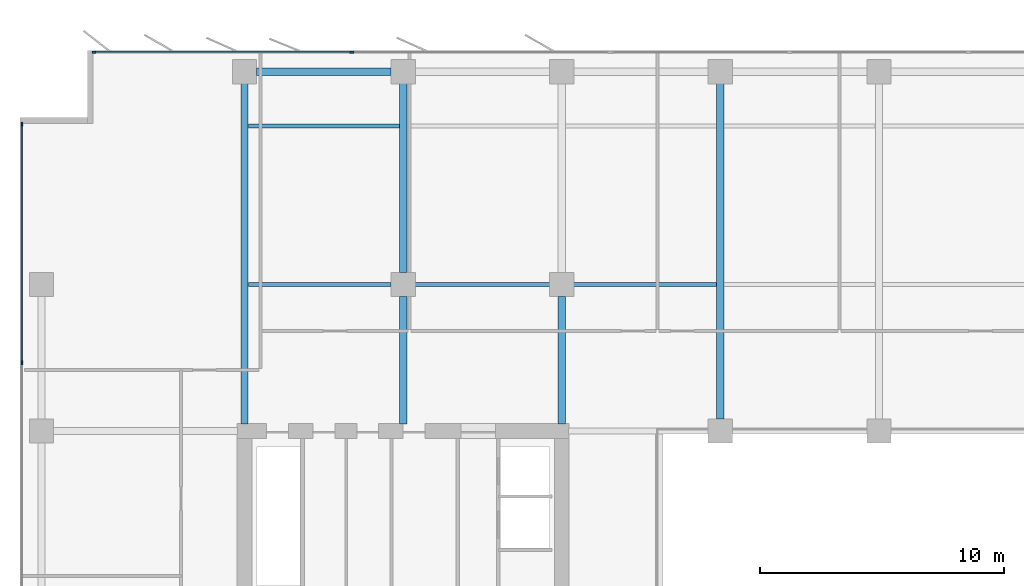
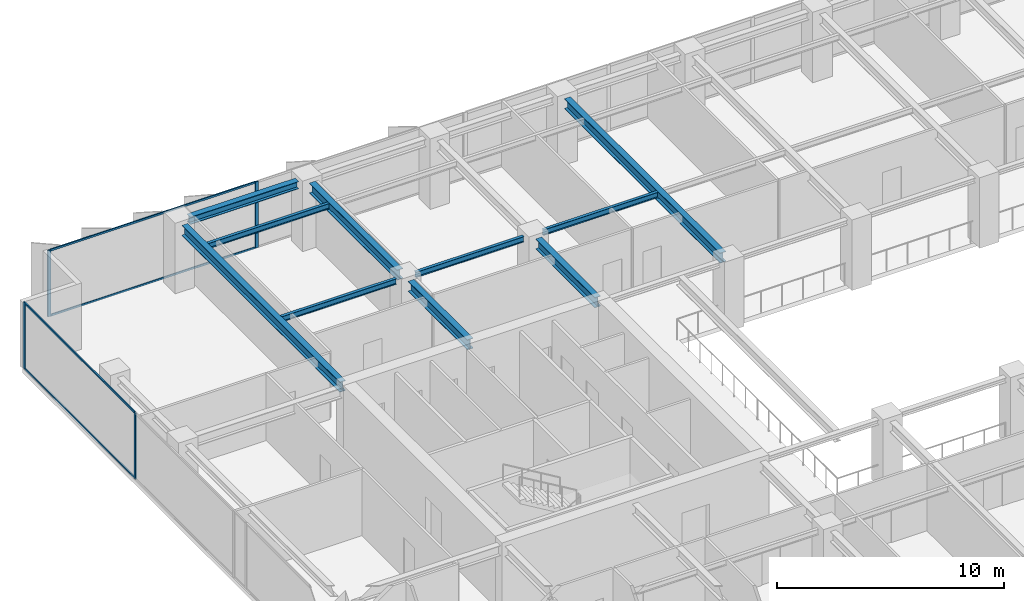
# One storey, part 8 of 22: 10 beams, 8 members, 2 elements without a shape of their own.
"""IFC4 building model written with IfcOpenShell, lengths in metres."""

from ifc_helpers import new_model, si_unit, direction, frame, origin, origin_2d, place, context, subcontext, project, spatial, rectangle, i_section, extrude, material, layer, layer_set, material_profile, profile_set, type_object, element, aggregate, save


model = new_model("IFC4")

# Units and contexts
model_context = context("Model", 3, precision=1e-05, world=origin(), true_north=direction((0.0, 1.0)))
body_context = subcontext(model_context, "Body", "Model", "MODEL_VIEW")
ifc_project = project(units=[si_unit("LENGTHUNIT", "METRE"), si_unit("AREAUNIT", "SQUARE_METRE"), si_unit("VOLUMEUNIT", "CUBIC_METRE"), si_unit("PLANEANGLEUNIT", "RADIAN"), si_unit("MASSUNIT", "GRAM", prefix="KILO")], contexts=[model_context])

# Site, building, storey
site_placement = place(None, origin())
site = spatial("IfcSite", under=ifc_project, at=site_placement, CompositionType="ELEMENT")
building_placement = place(site_placement, origin())
building = spatial("IfcBuilding", under=site, at=building_placement, Name="Putna Gate Headquarters", CompositionType="ELEMENT")
storey_placement = place(building_placement, frame((0.0, 0.0, 178.39990234375)))
storey = spatial("IfcBuildingStorey", under=building, at=storey_placement, Name="L44", CompositionType="ELEMENT", Elevation=178.39990234375)

# Beams
ifc_material_1 = material(Name="Steel S355J2", Category="steel")
ifc_material_profile_1 = material_profile(ifc_material_1, i_section(OverallWidth=0.300048828125, OverallDepth=0.550048828125, WebThickness=0.014892578125, FlangeThickness=0.029052734375, at=origin_2d()), Name="Steel S355J2")
ifc_profile_set_1 = profile_set([ifc_material_profile_1], Name="Steel S355J2")
beam_type_1 = type_object("IfcBeamType", Name="BM-GIRD-Z3-HEB550", PredefinedType="USERDEFINED", material=ifc_profile_set_1)
beam_1_placement = place(storey_placement, frame((13.0, 33.284912109375, 3.297119140625), z_axis=(0.0, 1.0, 0.0), x_axis=(-1.0, 0.0, 0.0)))
element("IfcBeam", 1, at=beam_1_placement, inside=storey, type_object=beam_type_1, Name="L44 North Primary Girder X13", ObjectType="GIRDER", PredefinedType="USERDEFINED", context=body_context, shape_type="SweptSolid", body=[
    extrude(i_section(OverallWidth=0.300048828125, OverallDepth=0.550048828125, WebThickness=0.014892578125, FlangeThickness=0.029052734375, at=origin_2d()), origin(), (0.0, 0.0, 1.0), 13.947021484375),
])
beam_2_placement = place(storey_placement, frame((19.5, 33.284912109375, 3.297119140625), z_axis=(0.0, 1.0, 0.0), x_axis=(-1.0, 0.0, 0.0)))
element("IfcBeam", 2, at=beam_2_placement, inside=storey, type_object=beam_type_1, Name="L44 North Primary Girder X19-1", ObjectType="GIRDER", PredefinedType="USERDEFINED", context=body_context, shape_type="SweptSolid", body=[
    extrude(i_section(OverallWidth=0.300048828125, OverallDepth=0.550048828125, WebThickness=0.014892578125, FlangeThickness=0.029052734375, at=origin_2d()), origin(), (0.0, 0.0, 1.0), 5.22705078125),
])
beam_3_placement = place(storey_placement, frame((19.5, 39.488037109375, 3.297119140625), z_axis=(0.0, 1.0, 0.0), x_axis=(-1.0, 0.0, 0.0)))
element("IfcBeam", 3, at=beam_3_placement, inside=storey, type_object=beam_type_1, Name="L44 North Primary Girder X19-2", ObjectType="GIRDER", PredefinedType="USERDEFINED", context=body_context, shape_type="SweptSolid", body=[
    extrude(i_section(OverallWidth=0.300048828125, OverallDepth=0.550048828125, WebThickness=0.014892578125, FlangeThickness=0.029052734375, at=origin_2d()), origin(), (0.0, 0.0, 1.0), 7.743896484375),
])
beam_4_placement = place(storey_placement, frame((26.0, 33.284912109375, 3.297119140625), z_axis=(0.0, 1.0, 0.0), x_axis=(-1.0, 0.0, 0.0)))
element("IfcBeam", 4, at=beam_4_placement, inside=storey, type_object=beam_type_1, Name="L44 North Primary Girder X26-1", ObjectType="GIRDER", PredefinedType="USERDEFINED", context=body_context, shape_type="SweptSolid", body=[
    extrude(i_section(OverallWidth=0.300048828125, OverallDepth=0.550048828125, WebThickness=0.014892578125, FlangeThickness=0.029052734375, at=origin_2d()), origin(), (0.0, 0.0, 1.0), 5.22705078125),
])
beam_5_placement = place(storey_placement, frame((32.5, 33.488037109375, 3.297119140625), z_axis=(0.0, 1.0, 0.0), x_axis=(-1.0, 0.0, 0.0)))
element("IfcBeam", 5, at=beam_5_placement, inside=storey, type_object=beam_type_1, Name="L44 North Primary Girder X32", ObjectType="GIRDER", PredefinedType="USERDEFINED", context=body_context, shape_type="SweptSolid", body=[
    extrude(i_section(OverallWidth=0.300048828125, OverallDepth=0.550048828125, WebThickness=0.014892578125, FlangeThickness=0.029052734375, at=origin_2d()), origin(), (0.0, 0.0, 1.0), 13.743896484375),
])
ifc_material_profile_2 = material_profile(ifc_material_1, i_section(OverallWidth=0.14990234375, OverallDepth=0.300048828125, WebThickness=0.007080078125, FlangeThickness=0.0107421875, at=origin_2d()), Name="Steel S355J2")
ifc_profile_set_2 = profile_set([ifc_material_profile_2], Name="Steel S355J2")
beam_type_2 = type_object("IfcBeamType", Name="BM-SEC-Z3-IPE300", PredefinedType="JOIST", material=ifc_profile_set_2)
beam_6_placement = place(storey_placement, frame((13.154052734375, 39.0, 3.422119140625), z_axis=(1.0, 0.0, 0.0), x_axis=(0.0, 1.0, 0.0)))
element("IfcBeam", 6, at=beam_6_placement, inside=storey, type_object=beam_type_2, Name="L44 North Secondary Beam 1", PredefinedType="JOIST", context=body_context, shape_type="SweptSolid", body=[
    extrude(i_section(OverallWidth=0.14990234375, OverallDepth=0.300048828125, WebThickness=0.007080078125, FlangeThickness=0.0107421875, at=origin_2d()), origin(), (0.0, 0.0, 1.0), 5.85791015625),
])
beam_7_placement = place(storey_placement, frame((13.154052734375, 45.5, 3.422119140625), z_axis=(1.0, 0.0, 0.0), x_axis=(0.0, 1.0, 0.0)))
element("IfcBeam", 7, at=beam_7_placement, inside=storey, type_object=beam_type_2, Name="L44 North Secondary Beam 1", PredefinedType="JOIST", context=body_context, shape_type="SweptSolid", body=[
    extrude(i_section(OverallWidth=0.14990234375, OverallDepth=0.300048828125, WebThickness=0.007080078125, FlangeThickness=0.0107421875, at=origin_2d()), origin(), (0.0, 0.0, 1.0), 6.19189453125),
])
beam_8_placement = place(storey_placement, frame((19.988037109375, 39.0, 3.422119140625), z_axis=(1.0, 0.0, 0.0), x_axis=(0.0, 1.0, 0.0)))
element("IfcBeam", 8, at=beam_8_placement, inside=storey, type_object=beam_type_2, Name="L44 North Secondary Beam 2", PredefinedType="JOIST", context=body_context, shape_type="SweptSolid", body=[
    extrude(i_section(OverallWidth=0.14990234375, OverallDepth=0.300048828125, WebThickness=0.007080078125, FlangeThickness=0.0107421875, at=origin_2d()), origin(), (0.0, 0.0, 1.0), 5.52392578125),
])
beam_9_placement = place(storey_placement, frame((26.488037109375, 39.0, 3.422119140625), z_axis=(1.0, 0.0, 0.0), x_axis=(0.0, 1.0, 0.0)))
element("IfcBeam", 9, at=beam_9_placement, inside=storey, type_object=beam_type_2, Name="L44 North Secondary Beam 3", PredefinedType="JOIST", context=body_context, shape_type="SweptSolid", body=[
    extrude(i_section(OverallWidth=0.14990234375, OverallDepth=0.300048828125, WebThickness=0.007080078125, FlangeThickness=0.0107421875, at=origin_2d()), origin(), (0.0, 0.0, 1.0), 5.85791015625),
])
ifc_material_profile_3 = material_profile(ifc_material_1, i_section(OverallWidth=0.300048828125, OverallDepth=0.39990234375, WebThickness=0.013427734375, FlangeThickness=0.02392578125, at=origin_2d()), Name="Steel S355J2")
ifc_profile_set_3 = profile_set([ifc_material_profile_3], Name="Steel S355J2")
beam_type_3 = type_object("IfcBeamType", Name="BM-SPAN-Z3-HEB400", PredefinedType="SPANDREL", material=ifc_profile_set_3)
beam_10_placement = place(storey_placement, frame((13.488037109375, 47.719970703125, 3.3720703125), z_axis=(1.0, 0.0, 0.0), x_axis=(0.0, 1.0, 0.0)))
element("IfcBeam", 10, at=beam_10_placement, inside=storey, type_object=beam_type_3, Name="L44 N Perimeter Spandrel 1", PredefinedType="SPANDREL", context=body_context, shape_type="SweptSolid", body=[
    extrude(i_section(OverallWidth=0.300048828125, OverallDepth=0.39990234375, WebThickness=0.013427734375, FlangeThickness=0.02392578125, at=origin_2d()), origin(), (0.0, 0.0, 1.0), 5.52392578125),
])

# Curtain wall, members
ifc_material_2 = material(Name="Anodised bronze aluminium curtain wall", Category="aluminium")
ifc_layer = layer(ifc_material_2, 0.159912109375)
ifc_layer_set = layer_set([ifc_layer], Name="Anodised bronze aluminium curtain wall")
curtain_wall_type = type_object("IfcCurtainWallType", Name="CW-SYS-Z3", PredefinedType="USERDEFINED", material=ifc_layer_set)
curtain_wall_1_placement = place(storey_placement, origin())
curtain_wall_1 = element("IfcCurtainWall", 11, at=curtain_wall_1_placement, inside=storey, type_object=curtain_wall_type, Name="L44 North West Curtain Wall", ObjectType="STICK CURTAIN WALL", PredefinedType="USERDEFINED")
ifc_material_3 = material(Name="Anodised bronze aluminium EN AW-6060", Category="aluminium")
ifc_material_profile_4 = material_profile(ifc_material_3, rectangle(XDim=0.06494140625, YDim=0.159912109375, at=origin_2d()), Name="Anodised bronze aluminium EN AW-6060")
ifc_profile_set_4 = profile_set([ifc_material_profile_4], Name="Anodised bronze aluminium EN AW-6060")
member_type_1 = type_object("IfcMemberType", Name="MULL-CWM-3", PredefinedType="MULLION", material=ifc_profile_set_4)
member_1_placement = place(storey_placement, frame((6.83251953125, 48.52001953125, 0.0), z_axis=(0.0, 0.0, 1.0), x_axis=(0.0, 1.0, 0.0)))
member_1 = element("IfcMember", 12, at=member_1_placement, type_object=member_type_1, Name="CWS-3 mullion 1", PredefinedType="MULLION", context=body_context, shape_type="SweptSolid", body=[
    extrude(rectangle(XDim=0.06494140625, YDim=0.159912109375, at=origin_2d()), origin(), (0.0, 0.0, 1.0), 3.572021484375),
])
member_2_placement = place(storey_placement, frame((17.39990234375, 48.52001953125, 0.0), z_axis=(0.0, 0.0, 1.0), x_axis=(0.0, 1.0, 0.0)))
member_2 = element("IfcMember", 13, at=member_2_placement, type_object=member_type_1, Name="CWS-3 mullion 2", PredefinedType="MULLION", context=body_context, shape_type="SweptSolid", body=[
    extrude(rectangle(XDim=0.06494140625, YDim=0.159912109375, at=origin_2d()), origin(), (0.0, 0.0, 1.0), 3.572021484375),
])

curtain_wall_2_placement = place(storey_placement, origin())
curtain_wall_2 = element("IfcCurtainWall", 14, at=curtain_wall_2_placement, inside=storey, type_object=curtain_wall_type, Name="L44 West Curtain Wall", ObjectType="STICK CURTAIN WALL", PredefinedType="USERDEFINED")
member_3_placement = place(storey_placement, frame((3.8798828125, 35.800048828125, 0.0), z_axis=(0.0, 0.0, 1.0), x_axis=(-1.0, 0.0, 0.0)))
member_3 = element("IfcMember", 15, at=member_3_placement, type_object=member_type_1, Name="CWS-3 mullion 4", PredefinedType="MULLION", context=body_context, shape_type="SweptSolid", body=[
    extrude(rectangle(XDim=0.06494140625, YDim=0.159912109375, at=origin_2d()), origin(), (0.0, 0.0, 1.0), 3.572021484375),
])
member_4_placement = place(storey_placement, frame((3.8798828125, 45.5673828125, 0.0), z_axis=(0.0, 0.0, 1.0), x_axis=(-1.0, 0.0, 0.0)))
member_4 = element("IfcMember", 16, at=member_4_placement, type_object=member_type_1, Name="CWS-3 mullion 5", PredefinedType="MULLION", context=body_context, shape_type="SweptSolid", body=[
    extrude(rectangle(XDim=0.06494140625, YDim=0.159912109375, at=origin_2d()), origin(), (0.0, 0.0, 1.0), 3.572021484375),
])

# Member
ifc_material_profile_5 = material_profile(ifc_material_3, rectangle(XDim=0.06005859375, YDim=0.10009765625, at=origin_2d()), Name="Anodised bronze aluminium EN AW-6060")
ifc_profile_set_5 = profile_set([ifc_material_profile_5], Name="Anodised bronze aluminium EN AW-6060")
member_type_2 = type_object("IfcMemberType", Name="TRAN-CWT-3", PredefinedType="USERDEFINED", material=ifc_profile_set_5)
member_5_placement = place(storey_placement, frame((6.864990234375, 48.52001953125, 0.030029296875), z_axis=(1.0, 0.0, 0.0), x_axis=(0.0, 1.0, 0.0)))
member_5 = element("IfcMember", 17, at=member_5_placement, type_object=member_type_2, Name="CWS-3 transom 1.1", ObjectType="TRANSOM", PredefinedType="USERDEFINED", context=body_context, shape_type="SweptSolid", body=[
    extrude(rectangle(XDim=0.06005859375, YDim=0.10009765625, at=origin_2d()), origin(), (0.0, 0.0, 1.0), 10.50244140625),
])

member_6_placement = place(storey_placement, frame((6.864990234375, 48.52001953125, 3.5419921875), z_axis=(1.0, 0.0, 0.0), x_axis=(0.0, 1.0, 0.0)))
member_6 = element("IfcMember", 18, at=member_6_placement, type_object=member_type_2, Name="CWS-3 transom 1.2", ObjectType="TRANSOM", PredefinedType="USERDEFINED", context=body_context, shape_type="SweptSolid", body=[
    extrude(rectangle(XDim=0.06005859375, YDim=0.10009765625, at=origin_2d()), origin(), (0.0, 0.0, 1.0), 10.50244140625),
])

aggregate(curtain_wall_1, [member_1, member_2, member_5, member_6])

member_7_placement = place(storey_placement, frame((3.8798828125, 35.83251953125, 0.030029296875), z_axis=(0.0, 1.0, 0.0), x_axis=(-1.0, 0.0, 0.0)))
member_7 = element("IfcMember", 19, at=member_7_placement, type_object=member_type_2, Name="CWS-3 transom 4.1", ObjectType="TRANSOM", PredefinedType="USERDEFINED", context=body_context, shape_type="SweptSolid", body=[
    extrude(rectangle(XDim=0.06005859375, YDim=0.10009765625, at=origin_2d()), origin(), (0.0, 0.0, 1.0), 9.702392578125),
])

member_8_placement = place(storey_placement, frame((3.8798828125, 35.83251953125, 3.5419921875), z_axis=(0.0, 1.0, 0.0), x_axis=(-1.0, 0.0, 0.0)))
member_8 = element("IfcMember", 20, at=member_8_placement, type_object=member_type_2, Name="CWS-3 transom 4.2", ObjectType="TRANSOM", PredefinedType="USERDEFINED", context=body_context, shape_type="SweptSolid", body=[
    extrude(rectangle(XDim=0.06005859375, YDim=0.10009765625, at=origin_2d()), origin(), (0.0, 0.0, 1.0), 9.702392578125),
])

aggregate(curtain_wall_2, [member_3, member_4, member_7, member_8])

save(model, "model.ifc")
